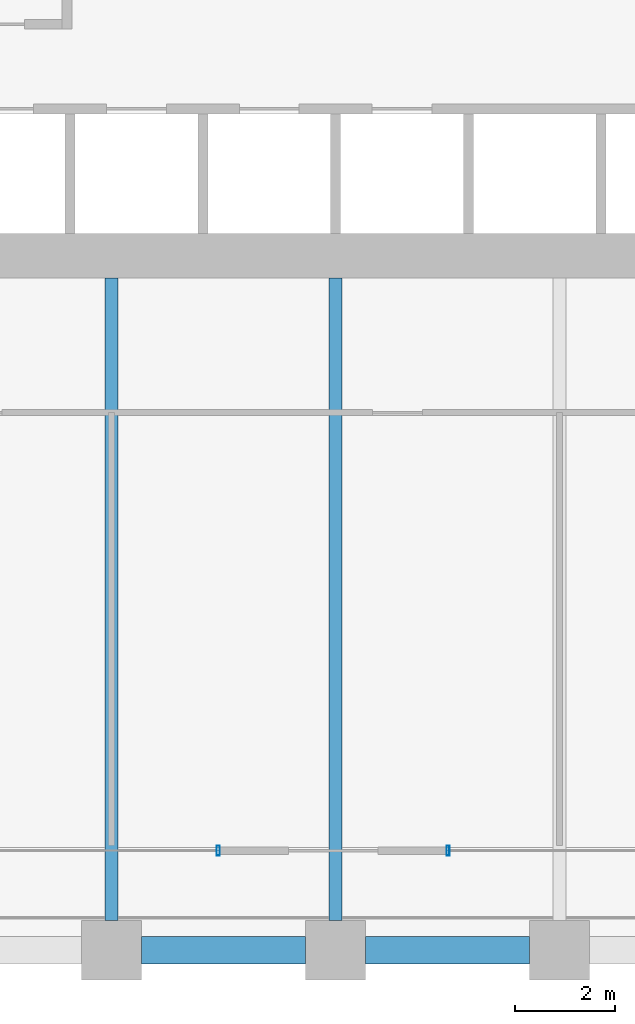
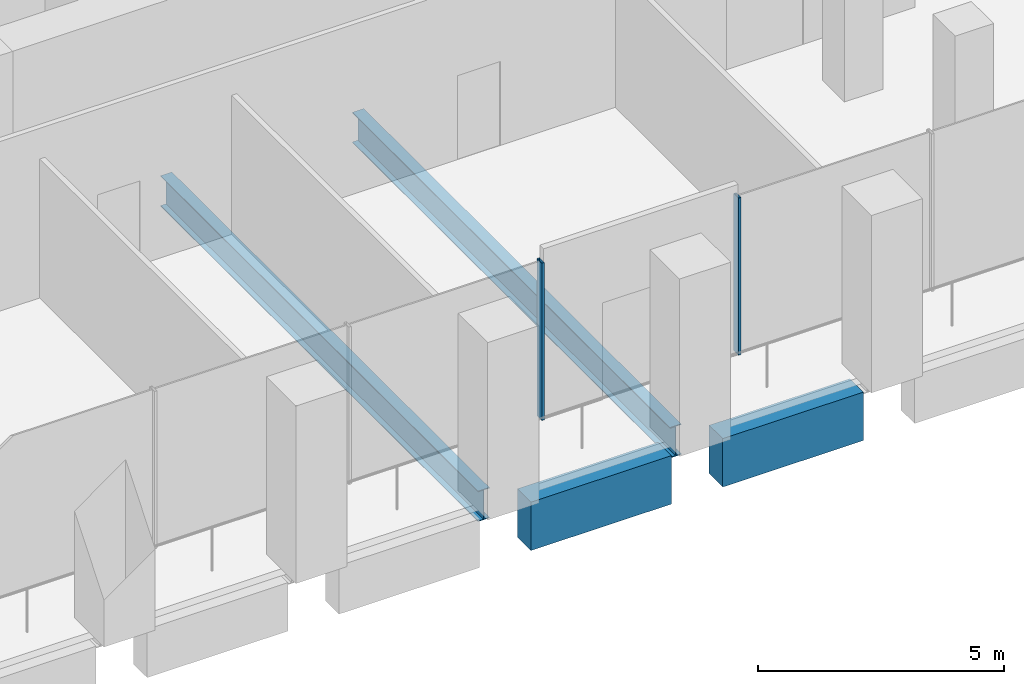
# One storey, part 5 of 36: 4 beams, 2 members, 2 elements without a shape of their own.
"""IFC4 building model written with IfcOpenShell, lengths in metres."""

from ifc_helpers import new_model, si_unit, direction, frame, origin, origin_2d, place, context, subcontext, project, spatial, rectangle, hollow_rectangle, i_section, extrude, material, material_profile, profile_set, type_object, element, aggregate, save


model = new_model("IFC4")

# Units and contexts
model_context = context("Model", 3, precision=1e-05, world=origin(), true_north=direction((0.0, 1.0)))
body_context = subcontext(model_context, "Body", "Model", "MODEL_VIEW")
ifc_project = project(units=[si_unit("LENGTHUNIT", "METRE"), si_unit("AREAUNIT", "SQUARE_METRE"), si_unit("VOLUMEUNIT", "CUBIC_METRE"), si_unit("PLANEANGLEUNIT", "RADIAN"), si_unit("MASSUNIT", "GRAM", prefix="KILO")], contexts=[model_context])

# Site, building, storey
site_placement = place(None, origin())
site = spatial("IfcSite", under=ifc_project, at=site_placement, CompositionType="ELEMENT")
building_placement = place(site_placement, origin())
building = spatial("IfcBuilding", under=site, at=building_placement, Name="Altepetl Exchange Towers", CompositionType="ELEMENT")
storey_placement = place(building_placement, frame((0.0, 0.0, 38.60009765625)))
storey = spatial("IfcBuildingStorey", under=building, at=storey_placement, Name="L08", CompositionType="ELEMENT", Elevation=38.60009765625)

# Beams
ifc_material_1 = material(Name="Steel S355", Category="steel")
ifc_material_profile_1 = material_profile(ifc_material_1, i_section(OverallWidth=0.26611328125, OverallDepth=0.758056640625, WebThickness=0.013916015625, FlangeThickness=0.019287109375, at=origin_2d()), Name="W30X108")
ifc_profile_set_1 = profile_set([ifc_material_profile_1], Name="Steel S355")
beam_type_1 = type_object("IfcBeamType", Name="Floor beam W30X108", PredefinedType="BEAM", material=ifc_profile_set_1)
for number, where, z_axis, x_axis, name in (
    (1, (45.0, 27.60009765625, -0.55419921875), (0.0, 1.0, 0.0), (-1.0, 0.0, 0.0), "bm:A:L08:015"),
    (2, (49.5, 27.60009765625, -0.55419921875), (0.0, 1.0, 0.0), (-1.0, 0.0, 0.0), "bm:A:L08:016"),
):
    element("IfcBeam", number, at=place(storey_placement, frame(where, z_axis=z_axis, x_axis=x_axis)), inside=storey, type_object=beam_type_1, Name=name, PredefinedType="BEAM", context=body_context, shape_type="SweptSolid", body=[
        extrude(i_section(OverallWidth=0.26611328125, OverallDepth=0.758056640625, WebThickness=0.013916015625, FlangeThickness=0.019287109375, at=origin_2d()), origin(), (0.0, 0.0, 1.0), 12.89990234375),
    ])

# Curtain wall, member
ifc_material_2 = material(Name="Aluminium 6063-T6 glazing", Category="aluminium")
curtain_wall_type = type_object("IfcCurtainWallType", Name="Trading floor glazing system", PredefinedType="NOTDEFINED", material=ifc_material_2)
curtain_wall_1_placement = place(storey_placement, origin())
curtain_wall_1 = element("IfcCurtainWall", 3, at=curtain_wall_1_placement, inside=storey, type_object=curtain_wall_type, Name="CW2 run", PredefinedType="NOTDEFINED")
ifc_material_3 = material(Name="Aluminium 6063-T6", Category="aluminium")
ifc_material_profile_2 = material_profile(ifc_material_3, hollow_rectangle(XDim=0.06005859375, YDim=0.199951171875, WallThickness=0.0029296875, at=origin_2d()), Name="Mullion 60x200 aluminium")
ifc_profile_set_2 = profile_set([ifc_material_profile_2], Name="Aluminium 6063-T6")
member_type = type_object("IfcMemberType", Name="Mullion 60x200 aluminium", PredefinedType="MULLION", material=ifc_profile_set_2)
member_1_placement = place(storey_placement, frame((47.141357421875, 29.0, 0.0)))
member_1 = element("IfcMember", 4, at=member_1_placement, type_object=member_type, Name="MU2 mullion", PredefinedType="MULLION", context=body_context, shape_type="SweptSolid", body=[
    extrude(hollow_rectangle(XDim=0.06005859375, YDim=0.199951171875, WallThickness=0.0029296875, at=origin_2d()), origin(), (0.0, 0.0, 1.0), 3.89990234375),
])
aggregate(curtain_wall_1, [member_1])

curtain_wall_2_placement = place(storey_placement, origin())
curtain_wall_2 = element("IfcCurtainWall", 5, at=curtain_wall_2_placement, inside=storey, type_object=curtain_wall_type, Name="CW2 run", PredefinedType="NOTDEFINED")
member_2_placement = place(storey_placement, frame((51.758544921875, 29.0, 0.0)))
member_2 = element("IfcMember", 6, at=member_2_placement, type_object=member_type, Name="MU2 mullion", PredefinedType="MULLION", context=body_context, shape_type="SweptSolid", body=[
    extrude(hollow_rectangle(XDim=0.06005859375, YDim=0.199951171875, WallThickness=0.0029296875, at=origin_2d()), origin(), (0.0, 0.0, 1.0), 3.89990234375),
])
aggregate(curtain_wall_2, [member_2])

# Beams
ifc_material_4 = material(Name="Concrete C50/60 precast with cantera blanca facing", Category="concrete")
ifc_material_profile_3 = material_profile(ifc_material_4, rectangle(XDim=0.550048828125, YDim=1.199951171875, at=origin_2d()), Name="550 x 1200")
ifc_profile_set_3 = profile_set([ifc_material_profile_3], Name="Concrete C50/60 precast with cantera blanca facing")
beam_type_2 = type_object("IfcBeamType", Name="Spandrel beam 550x1200 cantera blanca", PredefinedType="SPANDREL", material=ifc_profile_set_3)
for number, where, z_axis, x_axis, name in (
    (7, (45.60009765625, 27.0, -0.775146484375), (1.0, 0.0, 0.0), (0.0, 1.0, 0.0), "sp:A:L08:003"),
    (8, (50.10009765625, 27.0, -0.775146484375), (1.0, 0.0, 0.0), (0.0, 1.0, 0.0), "sp:A:L08:004"),
):
    element("IfcBeam", number, at=place(storey_placement, frame(where, z_axis=z_axis, x_axis=x_axis)), inside=storey, type_object=beam_type_2, Name=name, PredefinedType="SPANDREL", context=body_context, shape_type="SweptSolid", body=[
        extrude(rectangle(XDim=0.550048828125, YDim=1.199951171875, at=origin_2d()), origin(), (0.0, 0.0, 1.0), 3.2998046875),
    ])

save(model, "model.ifc")
